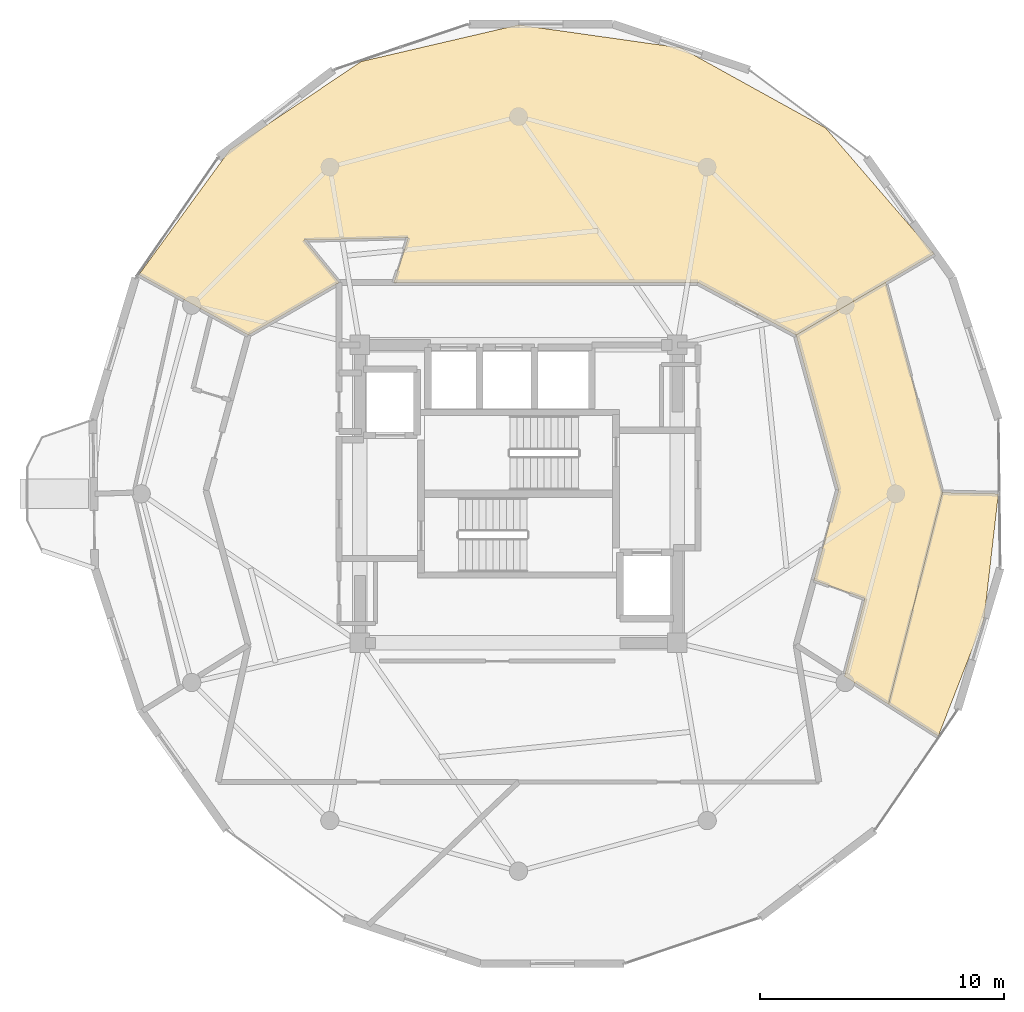
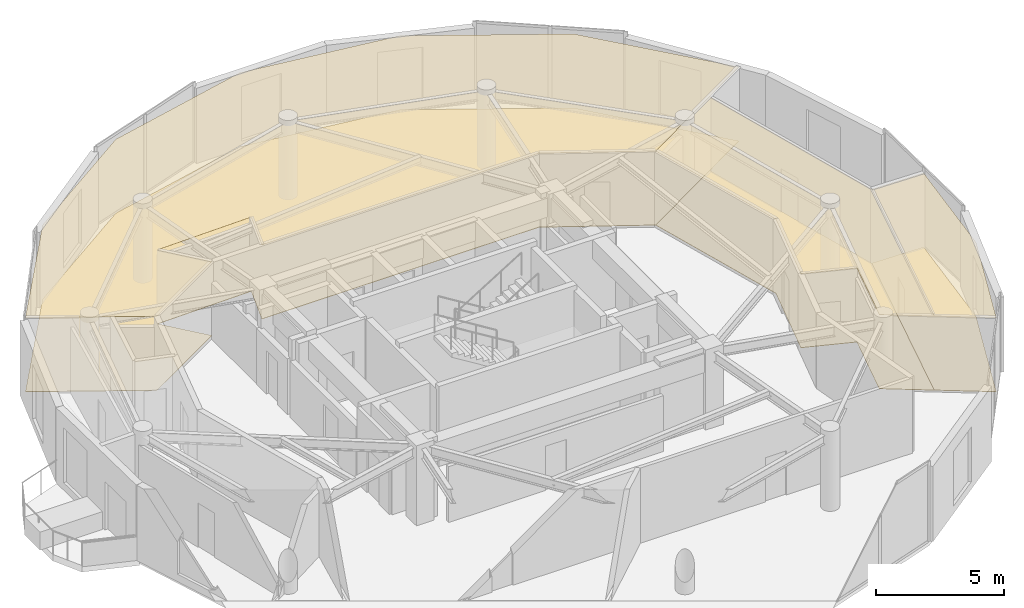
# One storey, part 18 of 18: 6 coverings.
"""IFC4 building model written with IfcOpenShell, lengths in metres."""

from ifc_helpers import new_model, si_unit, direction, frame, origin, place, context, subcontext, project, spatial, polyline, outline, extrude, material, layer, layer_set, type_object, element, save


model = new_model("IFC4")

# Units and contexts
model_context = context("Model", 3, precision=1e-05, world=origin(), true_north=direction((0.0, 1.0)))
body_context = subcontext(model_context, "Body", "Model", "MODEL_VIEW")
ifc_project = project(units=[si_unit("LENGTHUNIT", "METRE"), si_unit("AREAUNIT", "SQUARE_METRE"), si_unit("VOLUMEUNIT", "CUBIC_METRE"), si_unit("PLANEANGLEUNIT", "RADIAN"), si_unit("MASSUNIT", "GRAM", prefix="KILO")], contexts=[model_context])

# Site, building, storey
site_placement = place(None, origin())
site = spatial("IfcSite", under=ifc_project, at=site_placement, CompositionType="ELEMENT")
building_placement = place(site_placement, origin())
building = spatial("IfcBuilding", under=site, at=building_placement, Name="Solvirekh Grand Hotel", CompositionType="ELEMENT")
storey_placement = place(building_placement, frame((0.0, 0.0, 250.60009765625)))
storey = spatial("IfcBuildingStorey", under=building, at=storey_placement, Name="L65", CompositionType="ELEMENT", Elevation=250.60009765625)

# Coverings
ifc_material_1 = material(Name="Acoustic Mineral Ceiling Tile")
ifc_layer_1 = layer(ifc_material_1, 0.02490234375)
ifc_layer_set_1 = layer_set([ifc_layer_1], Name="Acoustic Mineral Ceiling Tile")
covering_type_1 = type_object("IfcCoveringType", Name="Cov_Ceiling_Acoustic", PredefinedType="CEILING", material=ifc_layer_set_1)
covering_1_placement = place(storey_placement, frame((0.0, 0.0, 3.52001953125)))
element("IfcCovering", 1, at=covering_1_placement, inside=storey, type_object=covering_type_1, Name="L65 Panorama Suite 6701 acoustic ceiling", PredefinedType="CEILING", context=body_context, shape_type="SweptSolid", body=[
    extrude(outline(polyline([(-7.35009765625, 8.64990234375), (-8.779052734375, 10.387939453125), (-4.51806640625, 10.489013671875), (-5.10009765625, 8.64990234375), (7.35009765625, 8.64990234375), (11.364990234375, 6.5), (17.01806640625, 9.825927734375), (12.572021484375, 14.98193359375), (6.64599609375, 18.260009765625), (0.0, 19.199951171875), (-6.44189453125, 17.699951171875), (-11.81689453125, 14.0830078125), (-15.5419921875, 8.972900390625), (-11.06494140625, 6.5), (-7.35009765625, 8.64990234375)])), origin(), (0.0, 0.0, 1.0), 0.017822265625),
])
covering_2_placement = place(storey_placement, frame((0.0, 0.0, 3.52001953125)))
element("IfcCovering", 2, at=covering_2_placement, inside=storey, type_object=covering_type_1, Name="L65 Executive Suite 6703 Living Room acoustic ceiling", PredefinedType="CEILING", context=body_context, shape_type="SweptSolid", body=[
    extrude(outline(polyline([(14.177978515625, -4.2890625), (13.344970703125, -7.466064453125), (15.15087890625, -8.62109375), (17.35595703125, 0.052001953125), (15.0390625, 8.662109375), (11.364990234375, 6.5), (13.10009765625, 0.14990234375), (12.093994140625, -3.532958984375), (14.177978515625, -4.2890625)])), origin(), (0.0, 0.0, 1.0), 0.017822265625),
])
covering_3_placement = place(storey_placement, frame((0.0, 0.0, 3.52001953125)))
element("IfcCovering", 3, at=covering_3_placement, inside=storey, type_object=covering_type_1, Name="L65 Executive Suite 6703 Master Bedroom acoustic ceiling", PredefinedType="CEILING", context=body_context, shape_type="SweptSolid", body=[
    extrude(outline(polyline([(17.18896484375, -9.924072265625), (19.06298828125, -5.10791015625), (19.64794921875, 0.0), (17.35595703125, 0.052001953125), (15.15087890625, -8.62109375), (17.18896484375, -9.924072265625)])), origin(), (0.0, 0.0, 1.0), 0.017822265625),
])
ifc_material_2 = material(Name="Porcelain Stoneware Flooring", Category="masonry")
ifc_layer_2 = layer(ifc_material_2, 0.030029296875)
ifc_layer_set_2 = layer_set([ifc_layer_2], Name="Porcelain Stoneware Flooring")
covering_type_2 = type_object("IfcCoveringType", Name="Cov_Floor_Stone", PredefinedType="FLOORING", material=ifc_layer_set_2)
covering_4_placement = place(storey_placement, origin())
element("IfcCovering", 4, at=covering_4_placement, inside=storey, type_object=covering_type_2, Name="L65 Panorama Suite 6701 polished granite flooring", PredefinedType="FLOORING", context=body_context, shape_type="SweptSolid", body=[
    extrude(outline(polyline([(-7.35009765625, 8.64990234375), (-8.779052734375, 10.387939453125), (-4.51806640625, 10.489013671875), (-5.10009765625, 8.64990234375), (7.35009765625, 8.64990234375), (11.364990234375, 6.5), (17.01806640625, 9.825927734375), (12.572021484375, 14.98193359375), (6.64599609375, 18.260009765625), (0.0, 19.199951171875), (-6.44189453125, 17.699951171875), (-11.81689453125, 14.0830078125), (-15.5419921875, 8.972900390625), (-11.06494140625, 6.5), (-7.35009765625, 8.64990234375)])), origin(), (0.0, 0.0, 1.0), 0.02001953125),
])
covering_5_placement = place(storey_placement, origin())
element("IfcCovering", 5, at=covering_5_placement, inside=storey, type_object=covering_type_2, Name="L65 Executive Suite 6703 Living Room polished granite flooring", PredefinedType="FLOORING", context=body_context, shape_type="SweptSolid", body=[
    extrude(outline(polyline([(14.177978515625, -4.2890625), (13.344970703125, -7.466064453125), (15.15087890625, -8.62109375), (17.35595703125, 0.052001953125), (15.0390625, 8.662109375), (11.364990234375, 6.5), (13.10009765625, 0.14990234375), (12.093994140625, -3.532958984375), (14.177978515625, -4.2890625)])), origin(), (0.0, 0.0, 1.0), 0.02001953125),
])
covering_6_placement = place(storey_placement, origin())
element("IfcCovering", 6, at=covering_6_placement, inside=storey, type_object=covering_type_2, Name="L65 Executive Suite 6703 Master Bedroom polished granite flooring", PredefinedType="FLOORING", context=body_context, shape_type="SweptSolid", body=[
    extrude(outline(polyline([(17.18896484375, -9.924072265625), (19.06298828125, -5.10791015625), (19.64794921875, 0.0), (17.35595703125, 0.052001953125), (15.15087890625, -8.62109375), (17.18896484375, -9.924072265625)])), origin(), (0.0, 0.0, 1.0), 0.02001953125),
])

save(model, "model.ifc")
